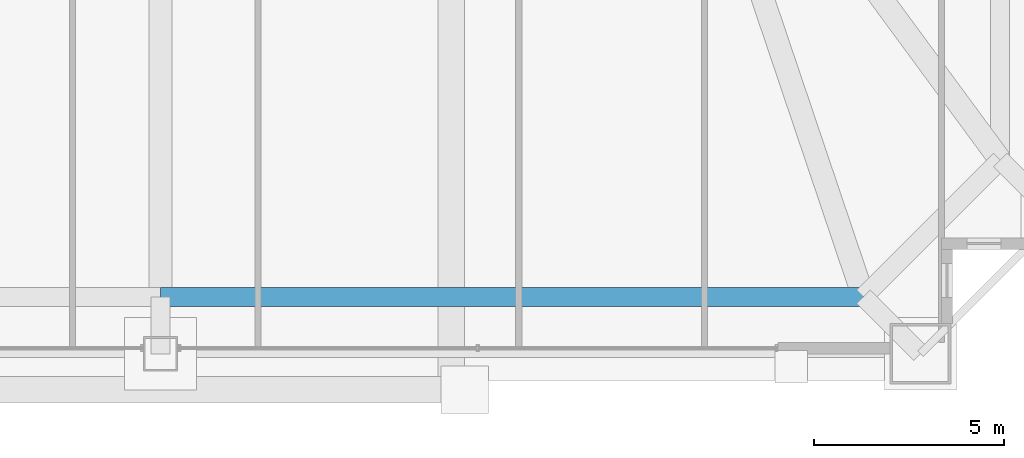
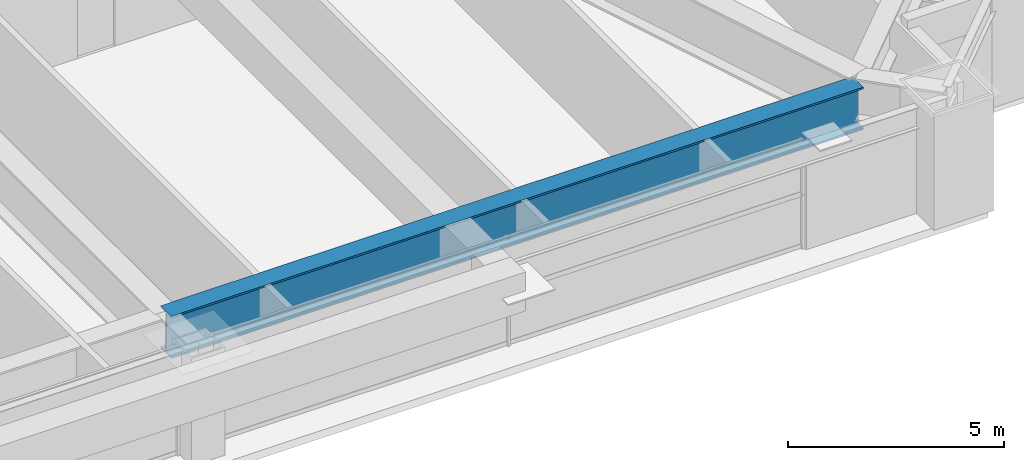
# One storey, part 17 of 45: 1 beam.
"""IFC4 building model written with IfcOpenShell, lengths in metres."""

from ifc_helpers import new_model, si_unit, direction, frame, origin, origin_2d, place, context, subcontext, project, spatial, i_section, extrude, source, transform, mapped, material, material_profile, profile_set, type_object, element, save


model = new_model("IFC4")

# Units and contexts
model_context = context("Model", 3, precision=1e-05, world=origin(), true_north=direction((0.0, 1.0)))
body_context = subcontext(model_context, "Body", "Model", "MODEL_VIEW")
ifc_project = project(units=[si_unit("LENGTHUNIT", "METRE"), si_unit("AREAUNIT", "SQUARE_METRE"), si_unit("VOLUMEUNIT", "CUBIC_METRE"), si_unit("PLANEANGLEUNIT", "RADIAN"), si_unit("MASSUNIT", "GRAM", prefix="KILO"), si_unit("THERMODYNAMICTEMPERATUREUNIT", "KELVIN"), si_unit("POWERUNIT", "WATT")], contexts=[model_context])

# Site, building, storey
site_placement = place(None, origin())
site = spatial("IfcSite", under=ifc_project, at=site_placement, CompositionType="ELEMENT")
building_placement = place(site_placement, origin())
building = spatial("IfcBuilding", under=site, at=building_placement, Name="Yuzanri Waterfront Tower", CompositionType="ELEMENT")
storey_placement = place(building_placement, frame((0.0, 0.0, 163.199951171875)))
storey = spatial("IfcBuildingStorey", under=building, at=storey_placement, Name="L43", CompositionType="ELEMENT", Elevation=163.199951171875)

# Beam
ifc_material = material(Name="Steel Q420GJC", Category="steel")
ifc_material_profile = material_profile(ifc_material, i_section(OverallWidth=0.5, OverallDepth=1.199951171875, WebThickness=0.028076171875, FlangeThickness=0.050048828125, at=origin_2d()), Name="PG 1200x500x28x50")
ifc_profile_set = profile_set([ifc_material_profile], Name="Steel Q420GJC")
beam_type = type_object("IfcBeamType", Name="Setback Transfer Girder Q420GJC PG 1200x500", PredefinedType="USERDEFINED", material=ifc_profile_set)
shared_shape = source(origin(), body_context, "Body", "SweptSolid", [
    extrude(i_section(OverallWidth=0.5, OverallDepth=1.199951171875, WebThickness=0.028076171875, FlangeThickness=0.050048828125, at=origin_2d()), origin(), (0.0, 0.0, 1.0), 18.5),
])
beam_placement = place(storey_placement, frame((37.0, 3.699951171875, 2.449951171875), z_axis=(1.0, 0.0, 0.0), x_axis=(0.0, 1.0, 0.0)))
element("IfcBeam", 1, at=beam_placement, inside=storey, type_object=beam_type, Name="L43 Setback Upper Ring S2-S3", ObjectType="GIRDER", PredefinedType="USERDEFINED", context=body_context, shape_type="MappedRepresentation", body=[
    mapped(shared_shape, transform((0.0, 0.0, 0.0), scale=1.0)),
])

save(model, "model.ifc")
